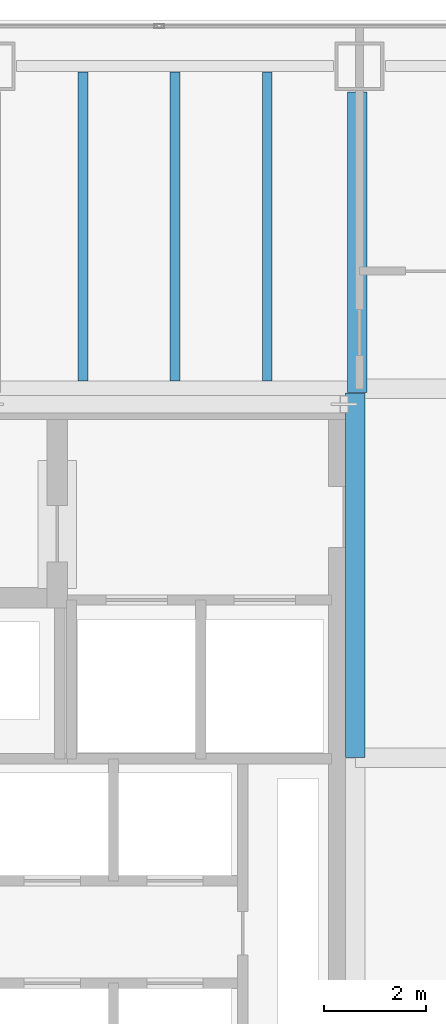
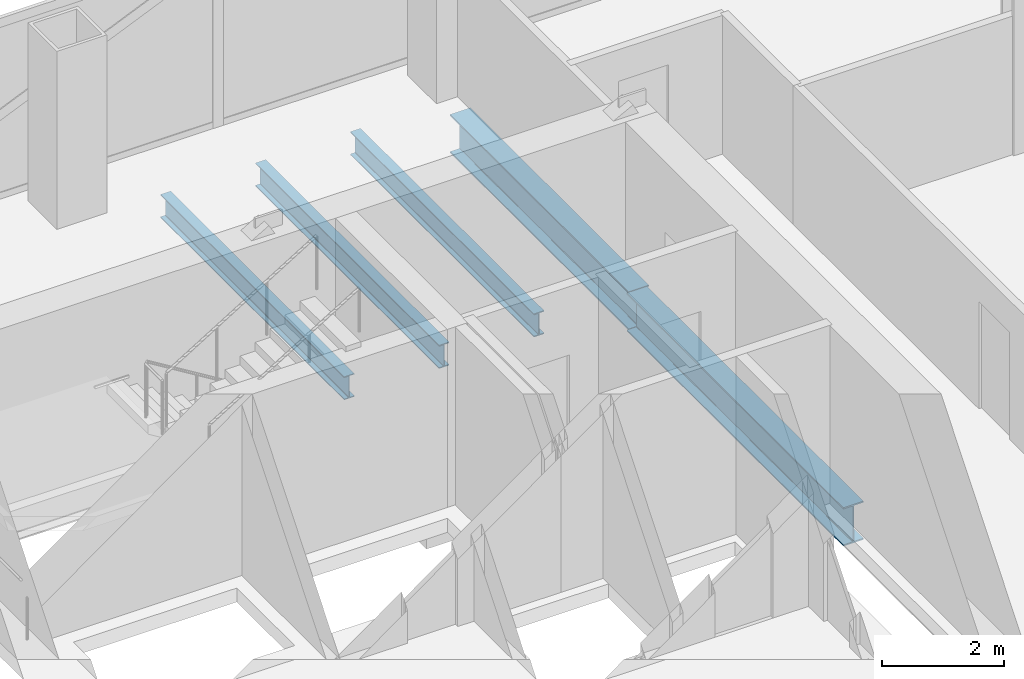
# One storey, part 15 of 24: 5 beams.
"""IFC4 building model written with IfcOpenShell, lengths in metres."""

from ifc_helpers import new_model, si_unit, direction, frame, origin, origin_2d, place, context, subcontext, project, spatial, i_section, extrude, material, material_profile, profile_set, type_object, element, save


model = new_model("IFC4")

# Units and contexts
model_context = context("Model", 3, precision=1e-05, world=origin(), true_north=direction((0.0, 1.0)))
body_context = subcontext(model_context, "Body", "Model", "MODEL_VIEW")
ifc_project = project(units=[si_unit("LENGTHUNIT", "METRE"), si_unit("AREAUNIT", "SQUARE_METRE"), si_unit("VOLUMEUNIT", "CUBIC_METRE"), si_unit("PLANEANGLEUNIT", "RADIAN"), si_unit("MASSUNIT", "GRAM", prefix="KILO")], contexts=[model_context])

# Site, building, storey
site_placement = place(None, origin())
site = spatial("IfcSite", under=ifc_project, at=site_placement, CompositionType="ELEMENT")
building_placement = place(site_placement, origin())
building = spatial("IfcBuilding", under=site, at=building_placement, Name="Cobrela Telecom Tower", CompositionType="ELEMENT")
storey_placement = place(building_placement, frame((0.0, 0.0, 77.35009765625)))
storey = spatial("IfcBuildingStorey", under=building, at=storey_placement, Name="L19", CompositionType="ELEMENT", Elevation=77.35009765625)

# Beams
ifc_material = material(Name="Steel ASTM A992 Grade 50", Category="steel")
ifc_material_profile_1 = material_profile(ifc_material, i_section(OverallWidth=0.381103515625, OverallDepth=0.77197265625, WebThickness=0.0166015625, FlangeThickness=0.027099609375, FilletRadius=0.01904296875, at=origin_2d()), Name="W30X173")
ifc_profile_set_1 = profile_set([ifc_material_profile_1], Name="Steel ASTM A992 Grade 50")
beam_type_1 = type_object("IfcBeamType", Name="BM-GIRD-04", PredefinedType="USERDEFINED", material=ifc_profile_set_1)
beam_1_placement = place(storey_placement, frame((14.320068359375, 28.804931640625, -0.666015625), z_axis=(0.0, 1.0, 0.0), x_axis=(-1.0, 0.0, 0.0)))
element("IfcBeam", 1, at=beam_1_placement, inside=storey, type_object=beam_type_1, Name="L19 Primary Girder Y38", ObjectType="GIRDER", PredefinedType="USERDEFINED", context=body_context, shape_type="SweptSolid", body=[
    extrude(i_section(OverallWidth=0.381103515625, OverallDepth=0.77197265625, WebThickness=0.0166015625, FlangeThickness=0.027099609375, FilletRadius=0.01904296875, at=origin_2d()), origin(), (0.0, 0.0, 1.0), 7.110107421875),
])
beam_2_placement = place(storey_placement, frame((14.360107421875, 35.925048828125, -0.666015625), z_axis=(0.0, 1.0, 0.0), x_axis=(-1.0, 0.0, 0.0)))
element("IfcBeam", 2, at=beam_2_placement, inside=storey, type_object=beam_type_1, Name="L19 Primary Girder Y39", ObjectType="GIRDER", PredefinedType="USERDEFINED", context=body_context, shape_type="SweptSolid", body=[
    extrude(i_section(OverallWidth=0.381103515625, OverallDepth=0.77197265625, WebThickness=0.0166015625, FlangeThickness=0.027099609375, FilletRadius=0.01904296875, at=origin_2d()), origin(), (0.0, 0.0, 1.0), 5.869873046875),
])
ifc_material_profile_2 = material_profile(ifc_material, i_section(OverallWidth=0.193115234375, OverallDepth=0.467041015625, WebThickness=0.011474609375, FlangeThickness=0.01904296875, FilletRadius=0.012939453125, at=origin_2d()), Name="W18X65")
ifc_profile_set_2 = profile_set([ifc_material_profile_2], Name="Steel ASTM A992 Grade 50")
beam_type_2 = type_object("IfcBeamType", Name="BM-JOIST-03", PredefinedType="JOIST", material=ifc_profile_set_2)
for number, where, z_axis, x_axis, name in (
    (3, (9.0, 36.155517578125, -0.513671875), (0.0, 1.0, 0.0), (-1.0, 0.0, 0.0), "L19 Secondary Composite Floor Beam J02"),
    (4, (10.800048828125, 36.155517578125, -0.513671875), (0.0, 1.0, 0.0), (-1.0, 0.0, 0.0), "L19 Secondary Composite Floor Beam J04"),
    (5, (12.60009765625, 36.155517578125, -0.513671875), (0.0, 1.0, 0.0), (-1.0, 0.0, 0.0), "L19 Secondary Composite Floor Beam J06"),
):
    element("IfcBeam", number, at=place(storey_placement, frame(where, z_axis=z_axis, x_axis=x_axis)), inside=storey, type_object=beam_type_2, Name=name, PredefinedType="JOIST", context=body_context, shape_type="SweptSolid", body=[
        extrude(i_section(OverallWidth=0.193115234375, OverallDepth=0.467041015625, WebThickness=0.011474609375, FlangeThickness=0.01904296875, FilletRadius=0.012939453125, at=origin_2d()), origin(), (0.0, 0.0, 1.0), 6.032958984375),
    ])

save(model, "model.ifc")
